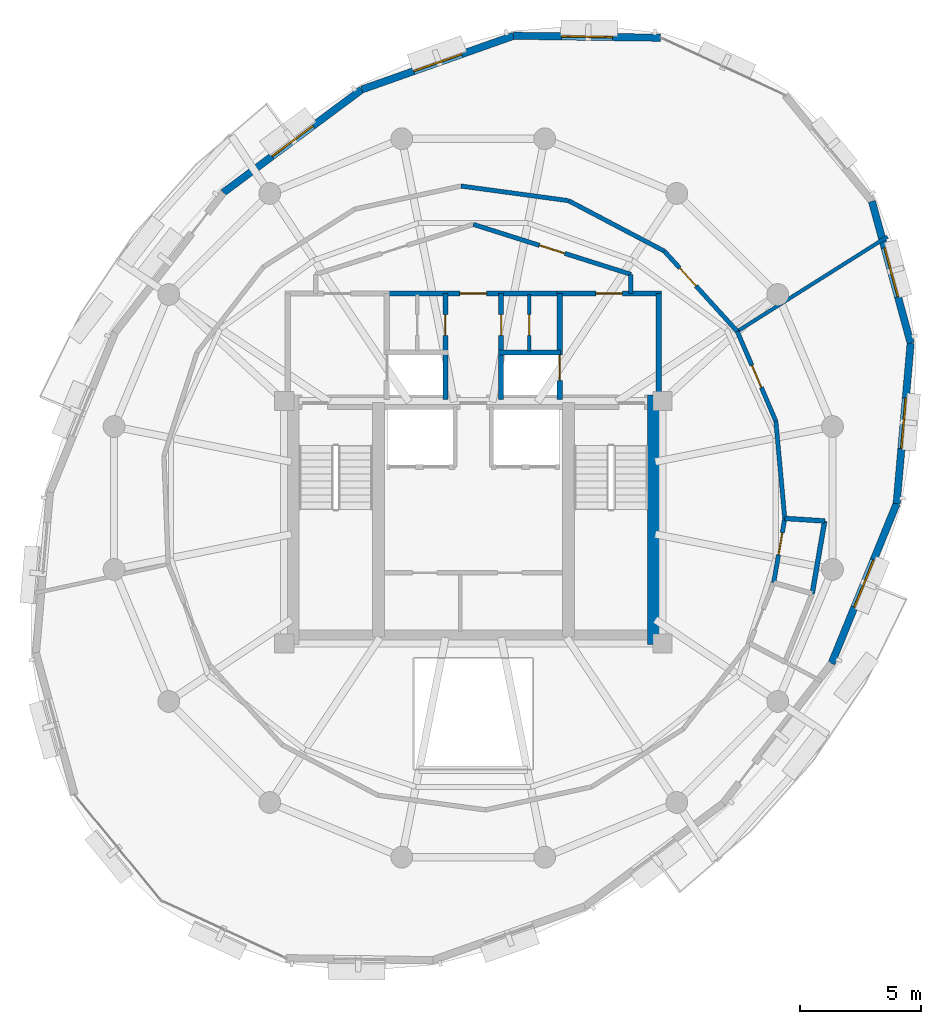
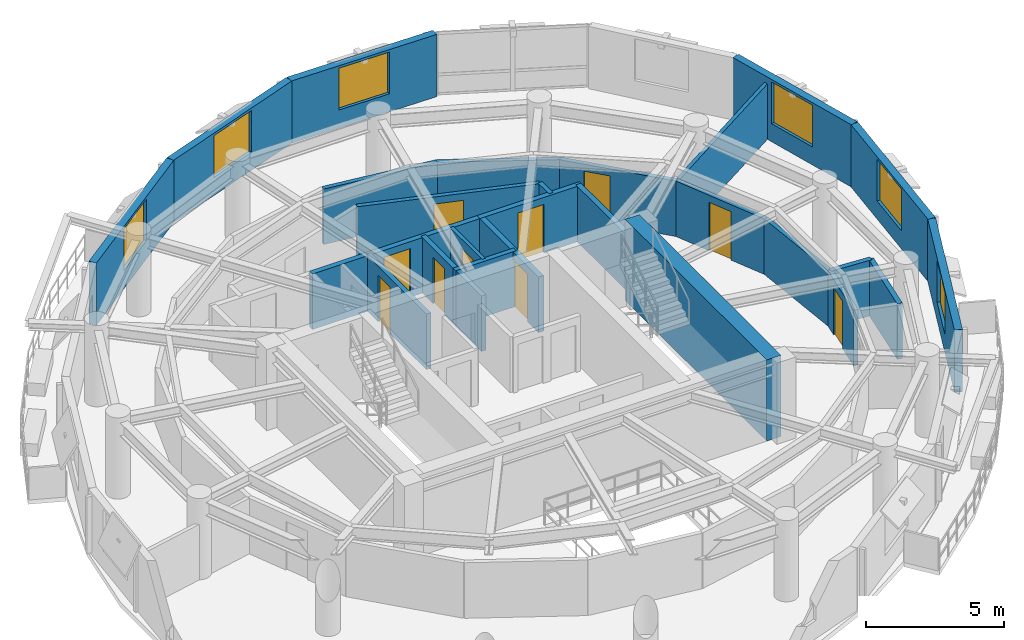
# One storey, part 8 of 11: 26 walls, 10 doors, 6 windows, 16 openings.
"""IFC4 building model written with IfcOpenShell, lengths in metres."""

from ifc_helpers import new_model, si_unit, direction, frame, frame_2d, origin, place, context, subcontext, project, spatial, rectangle, extrude, material, layer, layer_set, type_object, element, fill, save


model = new_model("IFC4")

# Units and contexts
model_context = context("Model", 3, precision=1e-05, world=origin(), true_north=direction((0.0, 1.0)))
body_context = subcontext(model_context, "Body", "Model", "MODEL_VIEW")
ifc_project = project(units=[si_unit("LENGTHUNIT", "METRE"), si_unit("AREAUNIT", "SQUARE_METRE"), si_unit("VOLUMEUNIT", "CUBIC_METRE"), si_unit("PLANEANGLEUNIT", "RADIAN"), si_unit("MASSUNIT", "GRAM", prefix="KILO"), si_unit("THERMODYNAMICTEMPERATUREUNIT", "KELVIN"), si_unit("POWERUNIT", "WATT")], contexts=[model_context])

# Site, building, storey
site_placement = place(None, origin())
site = spatial("IfcSite", under=ifc_project, at=site_placement, CompositionType="ELEMENT")
building_placement = place(site_placement, origin())
building = spatial("IfcBuilding", under=site, at=building_placement, Name="Ocrelia Relay Tower", CompositionType="ELEMENT")
storey_placement = place(building_placement, frame((0.0, 0.0, 248.39990234375)))
storey = spatial("IfcBuildingStorey", under=building, at=storey_placement, Name="L61", CompositionType="ELEMENT", Elevation=248.39990234375)

# Walls
ifc_material_1 = material(Name="Concrete C50/60", Category="concrete")
ifc_layer_1 = layer(ifc_material_1, 0.60009765625, Name="Concrete C50/60")
ifc_layer_set_1 = layer_set([ifc_layer_1], Name="Concrete C50/60")
wall_type_1 = type_object("IfcWallType", Name="CW-CORE-600B", PredefinedType="SHEAR", material=ifc_layer_set_1)
wall_1_placement = place(storey_placement, frame((41.488037109375, 19.9619140625, 0.0), z_axis=(0.0, 0.0, 1.0), x_axis=(0.0, 1.0, 0.0)))
element("IfcWall", 1, at=wall_1_placement, inside=storey, type_object=wall_type_1, Name="L61 Core Shear Wall E", PredefinedType="SHEAR", context=body_context, shape_type="SweptSolid", body=[
    extrude(rectangle(XDim=10.276123046875, YDim=0.60009765625, at=frame_2d((5.13818359375, 0.0))), origin(), (0.0, 0.0, 1.0), 3.60009765625),
])
ifc_material_2 = material(Name="Gypsum Fireboard Partition EI60", Category="gypsum")
ifc_layer_2 = layer(ifc_material_2, 0.179931640625, Name="Gypsum Fireboard Partition EI60")
ifc_layer_set_2 = layer_set([ifc_layer_2], Name="Gypsum Fireboard Partition EI60")
wall_type_2 = type_object("IfcWallType", Name="W-CORR-EI60-180", PredefinedType="PARTITIONING", material=ifc_layer_set_2)
wall_2_placement = place(storey_placement, frame((40.5, 35.218994140625, 0.0), z_axis=(0.0, 0.0, 1.0), x_axis=(0.0, -1.0, 0.0)))
element("IfcWall", 2, at=wall_2_placement, inside=storey, type_object=wall_type_2, Name="L61 Smoke Lobby East Return", PredefinedType="PARTITIONING", context=body_context, shape_type="SweptSolid", body=[
    extrude(rectangle(XDim=0.7890625, YDim=0.179931640625, at=frame_2d((0.39453125, 0.0))), origin(), (0.0, 0.0, 1.0), 2.460205078125),
])

# Wall, opening, door
wall_3_placement = place(storey_placement, frame((34.0, 37.280029296875, 0.0), z_axis=(0.0, 0.0, 1.0), x_axis=(0.953228121756, -0.302251795518, 0.0)))
wall_3 = element("IfcWall", 3, at=wall_3_placement, inside=storey, type_object=wall_type_2, Name="L61 North Smoke Lobby E Screen Wall", PredefinedType="PARTITIONING", context=body_context, shape_type="SweptSolid", body=[
    extrude(rectangle(XDim=6.81884765625, YDim=0.179931640625, at=frame_2d((3.409423828125, 0.0))), origin(), (0.0, 0.0, 1.0), 2.460205078125),
])
opening_1_placement = place(wall_3_placement, frame((2.859619140625, 0.0, 0.0)))
opening_1 = element("IfcOpeningElement", 4, at=opening_1_placement, cuts=wall_3, Name="Opening D-FD60", PredefinedType="OPENING", context=body_context, shape_type="SweptSolid", body=[
    extrude(rectangle(XDim=1.10009765625, YDim=2.14990234375, at=frame_2d((0.550048828125, 1.074951171875))), frame((0.0, 0.10009765625, 0.0), z_axis=(0.0, -1.0, 0.0), x_axis=(1.0, 0.0, 0.0)), (0.0, 0.0, 1.0), 0.199951171875),
])
ifc_material_3 = material(Name="Timber-core 60-min acoustic fire door", Category="wood")
door_type_1 = type_object("IfcDoorType", Name="DR-LOBBY-FD60-1100", OperationType="NOTDEFINED", PredefinedType="DOOR", material=ifc_material_3)
door_1_placement = place(opening_1_placement, origin())
door_1 = element("IfcDoor", 5, at=door_1_placement, inside=storey, type_object=door_type_1, Name="L61 North Smoke Lobby E Fire Door", OperationType="SINGLE_SWING_LEFT", OverallHeight=2.14990234375, OverallWidth=1.10009765625, PredefinedType="DOOR", context=body_context, shape_type="SweptSolid", body=[
    extrude(rectangle(XDim=1.10009765625, YDim=2.14990234375, at=frame_2d((0.550048828125, 1.074951171875))), frame((0.0, 0.02490234375, 0.0), z_axis=(0.0, -1.0, 0.0), x_axis=(1.0, 0.0, 0.0)), (0.0, 0.0, 1.0), 0.050048828125),
])
fill(opening_1, door_1)

wall_4_placement = place(storey_placement, frame((46.38671875, 22.506591796875, 0.0), z_axis=(0.0, 0.0, 1.0), x_axis=(0.169326487934, 0.985560013639, 0.0)))
wall_4 = element("IfcWall", 6, at=wall_4_placement, inside=storey, type_object=wall_type_2, Name="L61 Accessible Toilet Corridor Wall", PredefinedType="PARTITIONING", context=body_context, shape_type="SweptSolid", body=[
    extrude(rectangle(XDim=2.6904296875, YDim=0.179931640625, at=frame_2d((1.34521484375, 0.0))), origin(), (0.0, 0.0, 1.0), 2.460205078125),
])
opening_2_placement = place(wall_4_placement, frame((1.16748046875, 0.0, 0.0)))
opening_2 = element("IfcOpeningElement", 7, at=opening_2_placement, cuts=wall_4, Name="Opening D-WC92", PredefinedType="OPENING", context=body_context, shape_type="SweptSolid", body=[
    extrude(rectangle(XDim=0.919921875, YDim=2.10009765625, at=frame_2d((0.4599609375, 1.050048828125))), frame((0.0, 0.10009765625, 0.0), z_axis=(0.0, -1.0, 0.0), x_axis=(1.0, 0.0, 0.0)), (0.0, 0.0, 1.0), 0.199951171875),
])
ifc_material_4 = material(Name="Laminate washroom door", Category="wood")
door_type_2 = type_object("IfcDoorType", Name="DR-WC-920", OperationType="NOTDEFINED", PredefinedType="DOOR", material=ifc_material_4)
door_2_placement = place(opening_2_placement, origin())
door_2 = element("IfcDoor", 8, at=door_2_placement, inside=storey, type_object=door_type_2, Name="L61 Accessible Toilet Door", OperationType="SINGLE_SWING_LEFT", OverallHeight=2.10009765625, OverallWidth=0.919921875, PredefinedType="DOOR", context=body_context, shape_type="SweptSolid", body=[
    extrude(rectangle(XDim=0.919921875, YDim=2.10009765625, at=frame_2d((0.4599609375, 1.050048828125))), frame((0.0, 0.02490234375, 0.0), z_axis=(0.0, -1.0, 0.0), x_axis=(1.0, 0.0, 0.0)), (0.0, 0.0, 1.0), 0.050048828125),
])
fill(opening_2, door_2)

# Wall
wall_5_placement = place(storey_placement, frame((46.84228515625, 25.158203125, 0.0), z_axis=(0.0, 0.0, 1.0), x_axis=(-0.091432259976, 0.995811298307, 0.0)))
element("IfcWall", 9, at=wall_5_placement, inside=storey, type_object=wall_type_2, Name="L61 Technical Reference Library Corridor Partition 1", PredefinedType="PARTITIONING", context=body_context, shape_type="SweptSolid", body=[
    extrude(rectangle(XDim=4.026611328125, YDim=0.179931640625, at=frame_2d((2.01318359375, 0.0))), origin(), (0.0, 0.0, 1.0), 2.460205078125),
])

# Wall, opening, door
wall_6_placement = place(storey_placement, frame((46.47412109375, 29.16796875, 0.0), z_axis=(0.0, 0.0, 1.0), x_axis=(-0.394760633313, 0.91878400203, 0.0)))
wall_6 = element("IfcWall", 10, at=wall_6_placement, inside=storey, type_object=wall_type_2, Name="L61 Technical Reference Library Corridor Partition 2", PredefinedType="PARTITIONING", context=body_context, shape_type="SweptSolid", body=[
    extrude(rectangle(XDim=4.02685546875, YDim=0.179931640625, at=frame_2d((2.013427734375, 0.0))), origin(), (0.0, 0.0, 1.0), 2.460205078125),
])
opening_3_placement = place(wall_6_placement, frame((1.51318359375, 0.0, 0.0)))
opening_3 = element("IfcOpeningElement", 11, at=opening_3_placement, cuts=wall_6, Name="Opening D-RM100", PredefinedType="OPENING", context=body_context, shape_type="SweptSolid", body=[
    extrude(rectangle(XDim=1.0, YDim=2.14990234375, at=frame_2d((0.5, 1.074951171875))), frame((0.0, 0.10009765625, 0.0), z_axis=(0.0, -1.0, 0.0), x_axis=(1.0, 0.0, 0.0)), (0.0, 0.0, 1.0), 0.199951171875),
])
ifc_material_5 = material(Name="Acoustic oak veneer fire door", Category="wood")
door_type_3 = type_object("IfcDoorType", Name="DR-ROOM-FD60-1000", OperationType="NOTDEFINED", PredefinedType="DOOR", material=ifc_material_5)
door_3_placement = place(opening_3_placement, origin())
door_3 = element("IfcDoor", 12, at=door_3_placement, inside=storey, type_object=door_type_3, Name="L61 Technical Reference Library Entrance Door", OperationType="SINGLE_SWING_RIGHT", OverallHeight=2.14990234375, OverallWidth=1.0, PredefinedType="DOOR", context=body_context, shape_type="SweptSolid", body=[
    extrude(rectangle(XDim=1.0, YDim=2.14990234375, at=frame_2d((0.5, 1.074951171875))), frame((0.0, 0.02490234375, 0.0), z_axis=(0.0, -1.0, 0.0), x_axis=(1.0, 0.0, 0.0)), (0.0, 0.0, 1.0), 0.050048828125),
])
fill(opening_3, door_3)

wall_7_placement = place(storey_placement, frame((44.884521484375, 32.86767578125, 0.0), z_axis=(0.0, 0.0, 1.0), x_axis=(-0.672373687718, 0.740211877819, 0.0)))
wall_7 = element("IfcWall", 13, at=wall_7_placement, inside=storey, type_object=wall_type_2, Name="L61 Executive Club and Forum Hall Corridor Partition 1", PredefinedType="PARTITIONING", context=body_context, shape_type="SweptSolid", body=[
    extrude(rectangle(XDim=4.4697265625, YDim=0.179931640625, at=frame_2d((2.23486328125, 0.0))), origin(), (0.0, 0.0, 1.0), 2.460205078125),
])
opening_4_placement = place(wall_7_placement, frame((2.52734375, 0.0, 0.0)))
opening_4 = element("IfcOpeningElement", 14, at=opening_4_placement, cuts=wall_7, Name="Opening D-RM100", PredefinedType="OPENING", context=body_context, shape_type="SweptSolid", body=[
    extrude(rectangle(XDim=1.0, YDim=2.14990234375, at=frame_2d((0.5, 1.074951171875))), frame((0.0, 0.10009765625, 0.0), z_axis=(0.0, -1.0, 0.0), x_axis=(1.0, 0.0, 0.0)), (0.0, 0.0, 1.0), 0.199951171875),
])
door_4_placement = place(opening_4_placement, origin())
door_4 = element("IfcDoor", 15, at=door_4_placement, inside=storey, type_object=door_type_3, Name="L61 Executive Club and Forum Hall Entrance Door", OperationType="SINGLE_SWING_LEFT", OverallHeight=2.14990234375, OverallWidth=1.0, PredefinedType="DOOR", context=body_context, shape_type="SweptSolid", body=[
    extrude(rectangle(XDim=1.0, YDim=2.14990234375, at=frame_2d((0.5, 1.074951171875))), frame((0.0, 0.02490234375, 0.0), z_axis=(0.0, -1.0, 0.0), x_axis=(1.0, 0.0, 0.0)), (0.0, 0.0, 1.0), 0.050048828125),
])
fill(opening_4, door_4)

# Walls
wall_8_placement = place(storey_placement, frame((41.879150390625, 36.17626953125, 0.0), z_axis=(0.0, 0.0, 1.0), x_axis=(-0.884994042348, 0.465602346437, 0.0)))
element("IfcWall", 16, at=wall_8_placement, inside=storey, type_object=wall_type_2, Name="L61 Executive Club and Forum Hall Corridor Partition 2", PredefinedType="PARTITIONING", context=body_context, shape_type="SweptSolid", body=[
    extrude(rectangle(XDim=4.469482421875, YDim=0.179931640625, at=frame_2d((2.23486328125, 0.0))), origin(), (0.0, 0.0, 1.0), 2.460205078125),
])
wall_9_placement = place(storey_placement, frame((37.923583984375, 38.25732421875, 0.0), z_axis=(0.0, 0.0, 1.0), x_axis=(-0.990865034307, 0.134857271909, 0.0)))
element("IfcWall", 17, at=wall_9_placement, inside=storey, type_object=wall_type_2, Name="L61 Executive Club and Forum Hall Corridor Partition 3", PredefinedType="PARTITIONING", context=body_context, shape_type="SweptSolid", body=[
    extrude(rectangle(XDim=4.4697265625, YDim=0.179931640625, at=frame_2d((2.23486328125, 0.0))), origin(), (0.0, 0.0, 1.0), 2.460205078125),
])

# Wall, opening, window
ifc_material_6 = material(Name="Precast concrete C40/50 with oxide terracotta", Category="masonry")
ifc_layer_3 = layer(ifc_material_6, 0.300048828125, Name="Precast concrete C40/50 with oxide terracotta")
ifc_layer_set_3 = layer_set([ifc_layer_3], Name="Precast concrete C40/50 with oxide terracotta")
wall_type_3 = type_object("IfcWallType", Name="W-EXT-TERR-300", PredefinedType="SOLIDWALL", material=ifc_layer_set_3)
wall_10_placement = place(storey_placement, frame((41.727294921875, 44.974365234375, 0.0), z_axis=(0.0, 0.0, 1.0), x_axis=(-0.999910599604, 0.013371342453, 0.0)))
wall_10 = element("IfcWall", 18, at=wall_10_placement, inside=storey, type_object=wall_type_3, Name="L61 Oxide Terracotta Facade Wall 02", PredefinedType="SOLIDWALL", context=body_context, shape_type="SweptSolid", body=[
    extrude(rectangle(XDim=6.061767578125, YDim=0.300048828125, at=frame_2d((3.03076171875, 0.0))), origin(), (0.0, 0.0, 1.0), 2.760009765625),
])
opening_5_placement = place(wall_10_placement, frame((1.98095703125, 0.0, 0.800048828125)))
opening_5 = element("IfcOpeningElement", 19, at=opening_5_placement, cuts=wall_10, Name="Opening W-07", PredefinedType="OPENING", context=body_context, shape_type="SweptSolid", body=[
    extrude(rectangle(XDim=2.10009765625, YDim=1.85009765625, at=frame_2d((1.050048828125, 0.925048828125))), frame((0.0, 0.16015625, 0.0), z_axis=(0.0, -1.0, 0.0), x_axis=(1.0, 0.0, 0.0)), (0.0, 0.0, 1.0), 0.320068359375),
])
ifc_material_7 = material(Name="Clear double-glazed low-E glass", Category="glass")
window_type = type_object("IfcWindowType", Name="WIN-Z4-2100x2200", PartitioningType="DOUBLE_PANEL_VERTICAL", PredefinedType="WINDOW", material=ifc_material_7)
window_1_placement = place(opening_5_placement, origin())
window_1 = element("IfcWindow", 20, at=window_1_placement, inside=storey, type_object=window_type, Name="L61 Facade Module Window 02", OverallHeight=1.85009765625, OverallWidth=2.10009765625, PartitioningType="SINGLE_PANEL", PredefinedType="WINDOW", context=body_context, shape_type="SweptSolid", body=[
    extrude(rectangle(XDim=2.10009765625, YDim=1.85009765625, at=frame_2d((1.050048828125, 0.925048828125))), frame((0.0, 0.030029296875, 0.0), z_axis=(0.0, -1.0, 0.0), x_axis=(1.0, 0.0, 0.0)), (0.0, 0.0, 1.0), 0.06005859375),
])
fill(opening_5, window_1)

wall_11_placement = place(storey_placement, frame((35.666015625, 45.055419921875, 0.0), z_axis=(0.0, 0.0, 1.0), x_axis=(-0.942666251725, -0.33373692912, 0.0)))
wall_11 = element("IfcWall", 21, at=wall_11_placement, inside=storey, type_object=wall_type_3, Name="L61 Oxide Terracotta Facade Wall 03", PredefinedType="SOLIDWALL", context=body_context, shape_type="SweptSolid", body=[
    extrude(rectangle(XDim=6.64306640625, YDim=0.300048828125, at=frame_2d((3.321533203125, 0.0))), origin(), (0.0, 0.0, 1.0), 2.760009765625),
])
opening_6_placement = place(wall_11_placement, frame((2.27197265625, 0.0, 0.800048828125)))
opening_6 = element("IfcOpeningElement", 22, at=opening_6_placement, cuts=wall_11, Name="Opening W-07", PredefinedType="OPENING", context=body_context, shape_type="SweptSolid", body=[
    extrude(rectangle(XDim=2.10009765625, YDim=1.85009765625, at=frame_2d((1.050048828125, 0.925048828125))), frame((0.0, 0.16015625, 0.0), z_axis=(0.0, -1.0, 0.0), x_axis=(1.0, 0.0, 0.0)), (0.0, 0.0, 1.0), 0.320068359375),
])
window_2_placement = place(opening_6_placement, origin())
window_2 = element("IfcWindow", 23, at=window_2_placement, inside=storey, type_object=window_type, Name="L61 Facade Module Window 03", OverallHeight=1.85009765625, OverallWidth=2.10009765625, PartitioningType="SINGLE_PANEL", PredefinedType="WINDOW", context=body_context, shape_type="SweptSolid", body=[
    extrude(rectangle(XDim=2.10009765625, YDim=1.85009765625, at=frame_2d((1.050048828125, 0.925048828125))), frame((0.0, 0.030029296875, 0.0), z_axis=(0.0, -1.0, 0.0), x_axis=(1.0, 0.0, 0.0)), (0.0, 0.0, 1.0), 0.06005859375),
])
fill(opening_6, window_2)

wall_12_placement = place(storey_placement, frame((29.40380859375, 42.83837890625, 0.0), z_axis=(0.0, 0.0, 1.0), x_axis=(-0.802217934013, -0.597031311028, 0.0)))
wall_12 = element("IfcWall", 24, at=wall_12_placement, inside=storey, type_object=wall_type_3, Name="L61 Oxide Terracotta Facade Wall 04", PredefinedType="SOLIDWALL", context=body_context, shape_type="SweptSolid", body=[
    extrude(rectangle(XDim=7.115234375, YDim=0.300048828125, at=frame_2d((3.5576171875, 0.0))), origin(), (0.0, 0.0, 1.0), 2.760009765625),
])
opening_7_placement = place(wall_12_placement, frame((2.508056640625, 0.0, 0.800048828125)))
opening_7 = element("IfcOpeningElement", 25, at=opening_7_placement, cuts=wall_12, Name="Opening W-07", PredefinedType="OPENING", context=body_context, shape_type="SweptSolid", body=[
    extrude(rectangle(XDim=2.10009765625, YDim=1.85009765625, at=frame_2d((1.050048828125, 0.925048828125))), frame((0.0, 0.16015625, 0.0), z_axis=(0.0, -1.0, 0.0), x_axis=(1.0, 0.0, 0.0)), (0.0, 0.0, 1.0), 0.320068359375),
])
window_3_placement = place(opening_7_placement, origin())
window_3 = element("IfcWindow", 26, at=window_3_placement, inside=storey, type_object=window_type, Name="L61 Facade Module Window 04", OverallHeight=1.85009765625, OverallWidth=2.10009765625, PartitioningType="SINGLE_PANEL", PredefinedType="WINDOW", context=body_context, shape_type="SweptSolid", body=[
    extrude(rectangle(XDim=2.10009765625, YDim=1.85009765625, at=frame_2d((1.050048828125, 0.925048828125))), frame((0.0, 0.030029296875, 0.0), z_axis=(0.0, -1.0, 0.0), x_axis=(1.0, 0.0, 0.0)), (0.0, 0.0, 1.0), 0.06005859375),
])
fill(opening_7, window_3)

wall_13_placement = place(storey_placement, frame((48.769287109375, 19.176513671875, 0.0), z_axis=(0.0, 0.0, 1.0), x_axis=(0.377169360189, 0.926144305027, 0.0)))
wall_13 = element("IfcWall", 27, at=wall_13_placement, inside=storey, type_object=wall_type_3, Name="L61 Oxide Terracotta Facade Wall 15", PredefinedType="SOLIDWALL", context=body_context, shape_type="SweptSolid", body=[
    extrude(rectangle(XDim=7.114990234375, YDim=0.300048828125, at=frame_2d((3.5576171875, 0.0))), origin(), (0.0, 0.0, 1.0), 2.760009765625),
])
opening_8_placement = place(wall_13_placement, frame((2.508056640625, 0.0, 0.800048828125)))
opening_8 = element("IfcOpeningElement", 28, at=opening_8_placement, cuts=wall_13, Name="Opening W-07", PredefinedType="OPENING", context=body_context, shape_type="SweptSolid", body=[
    extrude(rectangle(XDim=2.10009765625, YDim=1.85009765625, at=frame_2d((1.050048828125, 0.925048828125))), frame((0.0, 0.16015625, 0.0), z_axis=(0.0, -1.0, 0.0), x_axis=(1.0, 0.0, 0.0)), (0.0, 0.0, 1.0), 0.320068359375),
])
window_4_placement = place(opening_8_placement, origin())
window_4 = element("IfcWindow", 29, at=window_4_placement, inside=storey, type_object=window_type, Name="L61 Facade Module Window 15", OverallHeight=1.85009765625, OverallWidth=2.10009765625, PartitioningType="SINGLE_PANEL", PredefinedType="WINDOW", context=body_context, shape_type="SweptSolid", body=[
    extrude(rectangle(XDim=2.10009765625, YDim=1.85009765625, at=frame_2d((1.050048828125, 0.925048828125))), frame((0.0, 0.030029296875, 0.0), z_axis=(0.0, -1.0, 0.0), x_axis=(1.0, 0.0, 0.0)), (0.0, 0.0, 1.0), 0.06005859375),
])
fill(opening_8, window_4)

wall_14_placement = place(storey_placement, frame((51.452880859375, 25.76611328125, 0.0), z_axis=(0.0, 0.0, 1.0), x_axis=(0.087099022081, 0.99619965888, 0.0)))
wall_14 = element("IfcWall", 30, at=wall_14_placement, inside=storey, type_object=wall_type_3, Name="L61 Oxide Terracotta Facade Wall 16", PredefinedType="SOLIDWALL", context=body_context, shape_type="SweptSolid", body=[
    extrude(rectangle(XDim=6.64306640625, YDim=0.300048828125, at=frame_2d((3.321533203125, 0.0))), origin(), (0.0, 0.0, 1.0), 2.760009765625),
])
opening_9_placement = place(wall_14_placement, frame((2.27197265625, 0.0, 0.800048828125)))
opening_9 = element("IfcOpeningElement", 31, at=opening_9_placement, cuts=wall_14, Name="Opening W-07", PredefinedType="OPENING", context=body_context, shape_type="SweptSolid", body=[
    extrude(rectangle(XDim=2.10009765625, YDim=1.85009765625, at=frame_2d((1.050048828125, 0.925048828125))), frame((0.0, 0.16015625, 0.0), z_axis=(0.0, -1.0, 0.0), x_axis=(1.0, 0.0, 0.0)), (0.0, 0.0, 1.0), 0.320068359375),
])
window_5_placement = place(opening_9_placement, origin())
window_5 = element("IfcWindow", 32, at=window_5_placement, inside=storey, type_object=window_type, Name="L61 Facade Module Window 16", OverallHeight=1.85009765625, OverallWidth=2.10009765625, PartitioningType="SINGLE_PANEL", PredefinedType="WINDOW", context=body_context, shape_type="SweptSolid", body=[
    extrude(rectangle(XDim=2.10009765625, YDim=1.85009765625, at=frame_2d((1.050048828125, 0.925048828125))), frame((0.0, 0.030029296875, 0.0), z_axis=(0.0, -1.0, 0.0), x_axis=(1.0, 0.0, 0.0)), (0.0, 0.0, 1.0), 0.06005859375),
])
fill(opening_9, window_5)

wall_15_placement = place(storey_placement, frame((52.031494140625, 32.384033203125, 0.0), z_axis=(0.0, 0.0, 1.0), x_axis=(-0.263318465664, 0.964708964217, 0.0)))
wall_15 = element("IfcWall", 33, at=wall_15_placement, inside=storey, type_object=wall_type_3, Name="L61 Oxide Terracotta Facade Wall 17", PredefinedType="SOLIDWALL", context=body_context, shape_type="SweptSolid", body=[
    extrude(rectangle(XDim=6.061767578125, YDim=0.300048828125, at=frame_2d((3.03076171875, 0.0))), origin(), (0.0, 0.0, 1.0), 2.760009765625),
])
opening_10_placement = place(wall_15_placement, frame((1.98095703125, 0.0, 0.800048828125)))
opening_10 = element("IfcOpeningElement", 34, at=opening_10_placement, cuts=wall_15, Name="Opening W-07", PredefinedType="OPENING", context=body_context, shape_type="SweptSolid", body=[
    extrude(rectangle(XDim=2.10009765625, YDim=1.85009765625, at=frame_2d((1.050048828125, 0.925048828125))), frame((0.0, 0.16015625, 0.0), z_axis=(0.0, -1.0, 0.0), x_axis=(1.0, 0.0, 0.0)), (0.0, 0.0, 1.0), 0.320068359375),
])
window_6_placement = place(opening_10_placement, origin())
window_6 = element("IfcWindow", 35, at=window_6_placement, inside=storey, type_object=window_type, Name="L61 Facade Module Window 17", OverallHeight=1.85009765625, OverallWidth=2.10009765625, PartitioningType="SINGLE_PANEL", PredefinedType="WINDOW", context=body_context, shape_type="SweptSolid", body=[
    extrude(rectangle(XDim=2.10009765625, YDim=1.85009765625, at=frame_2d((1.050048828125, 0.925048828125))), frame((0.0, 0.030029296875, 0.0), z_axis=(0.0, -1.0, 0.0), x_axis=(1.0, 0.0, 0.0)), (0.0, 0.0, 1.0), 0.06005859375),
])
fill(opening_10, window_6)

# Wall, opening, door
ifc_layer_4 = layer(ifc_material_1, 0.219970703125, Name="Concrete C50/60")
ifc_layer_set_4 = layer_set([ifc_layer_4], Name="Concrete C50/60")
wall_type_4 = type_object("IfcWallType", Name="W-FFL-EI120-220", PredefinedType="SOLIDWALL", material=ifc_layer_set_4)
wall_16_placement = place(storey_placement, frame((37.56005859375, 30.050048828125, 0.0), z_axis=(0.0, 0.0, 1.0), x_axis=(0.0, 1.0, 0.0)))
wall_16 = element("IfcWall", 36, at=wall_16_placement, inside=storey, type_object=wall_type_4, Name="L61 E Fire Service Lift Lobby West Wall", PredefinedType="SOLIDWALL", context=body_context, shape_type="SweptSolid", body=[
    extrude(rectangle(XDim=4.3798828125, YDim=0.219970703125, at=frame_2d((2.18994140625, 0.0))), origin(), (0.0, 0.0, 1.0), 2.460205078125),
])
opening_11_placement = place(wall_16_placement, frame((0.800048828125, 0.0, 0.0)))
opening_11 = element("IfcOpeningElement", 37, at=opening_11_placement, cuts=wall_16, Name="Opening LD-FFL2", PredefinedType="OPENING", context=body_context, shape_type="SweptSolid", body=[
    extrude(rectangle(XDim=1.050048828125, YDim=2.10009765625, at=frame_2d((0.52490234375, 1.050048828125))), frame((0.0, 0.1201171875, 0.0), z_axis=(0.0, -1.0, 0.0), x_axis=(1.0, 0.0, 0.0)), (0.0, 0.0, 1.0), 0.239990234375),
])
ifc_material_8 = material(Name="Brushed stainless steel S355 lift landing door", Category="steel")
door_type_4 = type_object("IfcDoorType", Name="DR-LIFT-LAND-1050", OperationType="DOUBLE_DOOR_SLIDING", PredefinedType="USERDEFINED", material=ifc_material_8)
door_5_placement = place(opening_11_placement, origin())
door_5 = element("IfcDoor", 38, at=door_5_placement, inside=storey, type_object=door_type_4, Name="L61 Firefighting Lift FFL2 Sliding Landing Door", ObjectType="LANDING DOOR", OperationType="DOUBLE_DOOR_SLIDING", OverallHeight=2.10009765625, OverallWidth=1.050048828125, PredefinedType="USERDEFINED", context=body_context, shape_type="SweptSolid", body=[
    extrude(rectangle(XDim=1.050048828125, YDim=2.10009765625, at=frame_2d((0.52490234375, 1.050048828125))), frame((0.0, 0.02490234375, 0.0), z_axis=(0.0, -1.0, 0.0), x_axis=(1.0, 0.0, 0.0)), (0.0, 0.0, 1.0), 0.050048828125),
])
fill(opening_11, door_5)

# Wall
wall_17_placement = place(storey_placement, frame((41.64990234375, 30.050048828125, 0.0), z_axis=(0.0, 0.0, 1.0), x_axis=(0.0, 1.0, 0.0)))
element("IfcWall", 39, at=wall_17_placement, inside=storey, type_object=wall_type_4, Name="L61 E Fire Service Lift Lobby East Wall", PredefinedType="SOLIDWALL", context=body_context, shape_type="SweptSolid", body=[
    extrude(rectangle(XDim=4.3798828125, YDim=0.219970703125, at=frame_2d((2.18994140625, 0.0))), origin(), (0.0, 0.0, 1.0), 2.460205078125),
])

# Wall, opening, door
wall_18_placement = place(storey_placement, frame((37.449951171875, 34.429931640625, 0.0), z_axis=(0.0, 0.0, 1.0), x_axis=(1.0, 0.0, 0.0)))
wall_18 = element("IfcWall", 40, at=wall_18_placement, inside=storey, type_object=wall_type_4, Name="L61 E Fire Service Lift Lobby North Wall", PredefinedType="SOLIDWALL", context=body_context, shape_type="SweptSolid", body=[
    extrude(rectangle(XDim=4.31005859375, YDim=0.219970703125, at=frame_2d((2.155029296875, 0.0))), origin(), (0.0, 0.0, 1.0), 2.460205078125),
])
opening_12_placement = place(wall_18_placement, frame((1.60009765625, 0.0, 0.0)))
opening_12 = element("IfcOpeningElement", 41, at=opening_12_placement, cuts=wall_18, Name="Opening D-FD60", PredefinedType="OPENING", context=body_context, shape_type="SweptSolid", body=[
    extrude(rectangle(XDim=1.10009765625, YDim=2.14990234375, at=frame_2d((0.550048828125, 1.074951171875))), frame((0.0, 0.1201171875, 0.0), z_axis=(0.0, -1.0, 0.0), x_axis=(1.0, 0.0, 0.0)), (0.0, 0.0, 1.0), 0.239990234375),
])
door_6_placement = place(opening_12_placement, origin())
door_6 = element("IfcDoor", 42, at=door_6_placement, inside=storey, type_object=door_type_1, Name="L61 E Fire Service Lift Lobby Exit Door", OperationType="SINGLE_SWING_LEFT", OverallHeight=2.14990234375, OverallWidth=1.10009765625, PredefinedType="DOOR", context=body_context, shape_type="SweptSolid", body=[
    extrude(rectangle(XDim=1.10009765625, YDim=2.14990234375, at=frame_2d((0.550048828125, 1.074951171875))), frame((0.0, 0.02490234375, 0.0), z_axis=(0.0, -1.0, 0.0), x_axis=(1.0, 0.0, 0.0)), (0.0, 0.0, 1.0), 0.050048828125),
])
fill(opening_12, door_6)

wall_19_placement = place(storey_placement, frame((30.43994140625, 34.429931640625, 0.0), z_axis=(0.0, 0.0, 1.0), x_axis=(1.0, 0.0, 0.0)))
wall_19 = element("IfcWall", 43, at=wall_19_placement, inside=storey, type_object=wall_type_4, Name="L61 North Core Vestibule Wall", PredefinedType="SOLIDWALL", context=body_context, shape_type="SweptSolid", body=[
    extrude(rectangle(XDim=7.1201171875, YDim=0.219970703125, at=frame_2d((3.56005859375, 0.0))), origin(), (0.0, 0.0, 1.0), 2.460205078125),
])
opening_13_placement = place(wall_19_placement, frame((3.010009765625, 0.0, 0.0)))
opening_13 = element("IfcOpeningElement", 44, at=opening_13_placement, cuts=wall_19, Name="Opening D-FD60", PredefinedType="OPENING", context=body_context, shape_type="SweptSolid", body=[
    extrude(rectangle(XDim=1.10009765625, YDim=2.14990234375, at=frame_2d((0.550048828125, 1.074951171875))), frame((0.0, 0.1201171875, 0.0), z_axis=(0.0, -1.0, 0.0), x_axis=(1.0, 0.0, 0.0)), (0.0, 0.0, 1.0), 0.239990234375),
])
door_7_placement = place(opening_13_placement, origin())
door_7 = element("IfcDoor", 45, at=door_7_placement, inside=storey, type_object=door_type_1, Name="L61 North Core Vestibule Corridor Door", OperationType="SINGLE_SWING_LEFT", OverallHeight=2.14990234375, OverallWidth=1.10009765625, PredefinedType="DOOR", context=body_context, shape_type="SweptSolid", body=[
    extrude(rectangle(XDim=1.10009765625, YDim=2.14990234375, at=frame_2d((0.550048828125, 1.074951171875))), frame((0.0, 0.02490234375, 0.0), z_axis=(0.0, -1.0, 0.0), x_axis=(1.0, 0.0, 0.0)), (0.0, 0.0, 1.0), 0.050048828125),
])
fill(opening_13, door_7)

ifc_material_9 = material(Name="Acoustic Fireboard Partition EI60", Category="gypsum")
ifc_layer_5 = layer(ifc_material_9, 0.14990234375, Name="Acoustic Fireboard Partition EI60")
ifc_layer_set_5 = layer_set([ifc_layer_5], Name="Acoustic Fireboard Partition EI60")
wall_type_5 = type_object("IfcWallType", Name="W-PART-150", PredefinedType="PARTITIONING", material=ifc_layer_set_5)
wall_20_placement = place(storey_placement, frame((36.31005859375, 32.050048828125, 0.0), z_axis=(0.0, 0.0, 1.0), x_axis=(0.0, 1.0, 0.0)))
wall_20 = element("IfcWall", 46, at=wall_20_placement, inside=storey, type_object=wall_type_5, Name="L61 East Core Support Partition", PredefinedType="PARTITIONING", context=body_context, shape_type="SweptSolid", body=[
    extrude(rectangle(XDim=2.329833984375, YDim=0.14990234375, at=frame_2d((1.1650390625, 0.0))), origin(), (0.0, 0.0, 1.0), 2.460205078125),
])
opening_14_placement = place(wall_20_placement, frame((0.64990234375, 0.0, 0.0)))
opening_14 = element("IfcOpeningElement", 47, at=opening_14_placement, cuts=wall_20, Name="Opening D-RS86", PredefinedType="OPENING", context=body_context, shape_type="SweptSolid", body=[
    extrude(rectangle(XDim=0.860107421875, YDim=2.050048828125, at=frame_2d((0.43017578125, 1.02490234375))), frame((0.0, 0.0849609375, 0.0), z_axis=(0.0, -1.0, 0.0), x_axis=(1.0, 0.0, 0.0)), (0.0, 0.0, 1.0), 0.169921875),
])
ifc_material_10 = material(Name="Steel S355 riser access fire door", Category="steel")
door_type_5 = type_object("IfcDoorType", Name="DR-RISER-TRAP-860", OperationType="NOTDEFINED", PredefinedType="TRAPDOOR", material=ifc_material_10)
door_8_placement = place(opening_14_placement, origin())
door_8 = element("IfcDoor", 48, at=door_8_placement, inside=storey, type_object=door_type_5, Name="L61 East Core Store Connecting Door", OperationType="SINGLE_SWING_LEFT", OverallHeight=2.050048828125, OverallWidth=0.860107421875, PredefinedType="TRAPDOOR", context=body_context, shape_type="SweptSolid", body=[
    extrude(rectangle(XDim=0.860107421875, YDim=2.050048828125, at=frame_2d((0.43017578125, 1.02490234375))), frame((0.0, 0.02490234375, 0.0), z_axis=(0.0, -1.0, 0.0), x_axis=(1.0, 0.0, 0.0)), (0.0, 0.0, 1.0), 0.050048828125),
])
fill(opening_14, door_8)

# Walls
wall_21_placement = place(storey_placement, frame((44.884521484375, 32.86767578125, 0.0), z_axis=(0.0, 0.0, 1.0), x_axis=(0.845732184642, 0.533607601015, 0.0)))
element("IfcWall", 49, at=wall_21_placement, inside=storey, type_object=wall_type_5, Name="L61 Technical Reference Library Radial Partition", PredefinedType="PARTITIONING", context=body_context, shape_type="SweptSolid", body=[
    extrude(rectangle(XDim=7.318115234375, YDim=0.14990234375, at=frame_2d((3.6591796875, 0.0))), origin(), (0.0, 0.0, 1.0), 2.460205078125),
])
ifc_material_11 = material(Name="Moisture-Resistant Fireboard Chase Wall EI60", Category="gypsum")
ifc_layer_6 = layer(ifc_material_11, 0.199951171875, Name="Moisture-Resistant Fireboard Chase Wall EI60")
ifc_layer_set_6 = layer_set([ifc_layer_6], Name="Moisture-Resistant Fireboard Chase Wall EI60")
wall_type_6 = type_object("IfcWallType", Name="W-PLUMB-200", PredefinedType="PLUMBINGWALL", material=ifc_layer_set_6)
wall_22_placement = place(storey_placement, frame((46.84228515625, 25.158203125, 0.0), z_axis=(0.0, 0.0, 1.0), x_axis=(0.997859798446, -0.065389774783, 0.0)))
element("IfcWall", 50, at=wall_22_placement, inside=storey, type_object=wall_type_6, Name="L61 Accessible Toilet Plumbing Radial Wall", PredefinedType="PLUMBINGWALL", context=body_context, shape_type="SweptSolid", body=[
    extrude(rectangle(XDim=1.650146484375, YDim=0.199951171875, at=frame_2d((0.8251953125, 0.0))), origin(), (0.0, 0.0, 1.0), 2.460205078125),
])
wall_23_placement = place(storey_placement, frame((47.974853515625, 22.05859375, 0.0), z_axis=(0.0, 0.0, 1.0), x_axis=(0.169379009467, 0.985550988611, 0.0)))
element("IfcWall", 51, at=wall_23_placement, inside=storey, type_object=wall_type_6, Name="L61 Accessible Toilet Back Plumbing Wall", PredefinedType="PLUMBINGWALL", context=body_context, shape_type="SweptSolid", body=[
    extrude(rectangle(XDim=3.03564453125, YDim=0.199951171875, at=frame_2d((1.517822265625, 0.0))), origin(), (0.0, 0.0, 1.0), 2.460205078125),
])

# Wall, opening, door
ifc_layer_7 = layer(ifc_material_1, 0.199951171875, Name="Concrete C50/60")
ifc_layer_set_7 = layer_set([ifc_layer_7], Name="Concrete C50/60")
wall_type_7 = type_object("IfcWallType", Name="W-SHAFT-EI120-200", PredefinedType="SOLIDWALL", material=ifc_layer_set_7)
wall_24_placement = place(storey_placement, frame((32.85009765625, 30.050048828125, 0.0), z_axis=(0.0, 0.0, 1.0), x_axis=(0.0, 1.0, 0.0)))
wall_24 = element("IfcWall", 52, at=wall_24_placement, inside=storey, type_object=wall_type_7, Name="L61 FFL1 and Service Vestibule Wall", PredefinedType="SOLIDWALL", context=body_context, shape_type="SweptSolid", body=[
    extrude(rectangle(XDim=4.3798828125, YDim=0.199951171875, at=frame_2d((2.18994140625, 0.0))), origin(), (0.0, 0.0, 1.0), 2.460205078125),
])
opening_15_placement = place(wall_24_placement, frame((2.64990234375, 0.0, 0.0)))
opening_15 = element("IfcOpeningElement", 53, at=opening_15_placement, cuts=wall_24, Name="Opening D-RS86", PredefinedType="OPENING", context=body_context, shape_type="SweptSolid", body=[
    extrude(rectangle(XDim=0.860107421875, YDim=2.050048828125, at=frame_2d((0.43017578125, 1.02490234375))), frame((0.0, 0.10986328125, 0.0), z_axis=(0.0, -1.0, 0.0), x_axis=(1.0, 0.0, 0.0)), (0.0, 0.0, 1.0), 0.219970703125),
])
door_9_placement = place(opening_15_placement, origin())
door_9 = element("IfcDoor", 54, at=door_9_placement, inside=storey, type_object=door_type_5, Name="L61 Core Support Room W Door", OperationType="SINGLE_SWING_RIGHT", OverallHeight=2.050048828125, OverallWidth=0.860107421875, PredefinedType="TRAPDOOR", context=body_context, shape_type="SweptSolid", body=[
    extrude(rectangle(XDim=0.860107421875, YDim=2.050048828125, at=frame_2d((0.43017578125, 1.02490234375))), frame((0.0, 0.02490234375, 0.0), z_axis=(0.0, -1.0, 0.0), x_axis=(1.0, 0.0, 0.0)), (0.0, 0.0, 1.0), 0.050048828125),
])
fill(opening_15, door_9)

# Wall
wall_25_placement = place(storey_placement, frame((35.050048828125, 32.0, 0.0), z_axis=(0.0, 0.0, 1.0), x_axis=(1.0, 0.0, 0.0)))
element("IfcWall", 55, at=wall_25_placement, inside=storey, type_object=wall_type_7, Name="L61 FFL2 Hoistway North Wall", PredefinedType="SOLIDWALL", context=body_context, shape_type="SweptSolid", body=[
    extrude(rectangle(XDim=2.550048828125, YDim=0.199951171875, at=frame_2d((1.27490234375, 0.0))), origin(), (0.0, 0.0, 1.0), 2.460205078125),
])

# Wall, opening, door
wall_26_placement = place(storey_placement, frame((35.14990234375, 30.050048828125, 0.0), z_axis=(0.0, 0.0, 1.0), x_axis=(0.0, 1.0, 0.0)))
wall_26 = element("IfcWall", 56, at=wall_26_placement, inside=storey, type_object=wall_type_7, Name="L61 FFL2 and Service Vestibule Wall", PredefinedType="SOLIDWALL", context=body_context, shape_type="SweptSolid", body=[
    extrude(rectangle(XDim=4.3798828125, YDim=0.199951171875, at=frame_2d((2.18994140625, 0.0))), origin(), (0.0, 0.0, 1.0), 2.460205078125),
])
opening_16_placement = place(wall_26_placement, frame((2.64990234375, 0.0, 0.0)))
opening_16 = element("IfcOpeningElement", 57, at=opening_16_placement, cuts=wall_26, Name="Opening D-RS86", PredefinedType="OPENING", context=body_context, shape_type="SweptSolid", body=[
    extrude(rectangle(XDim=0.860107421875, YDim=2.050048828125, at=frame_2d((0.43017578125, 1.02490234375))), frame((0.0, 0.10986328125, 0.0), z_axis=(0.0, -1.0, 0.0), x_axis=(1.0, 0.0, 0.0)), (0.0, 0.0, 1.0), 0.219970703125),
])
door_10_placement = place(opening_16_placement, origin())
door_10 = element("IfcDoor", 58, at=door_10_placement, inside=storey, type_object=door_type_5, Name="L61 Core Support Room E Door", OperationType="SINGLE_SWING_RIGHT", OverallHeight=2.050048828125, OverallWidth=0.860107421875, PredefinedType="TRAPDOOR", context=body_context, shape_type="SweptSolid", body=[
    extrude(rectangle(XDim=0.860107421875, YDim=2.050048828125, at=frame_2d((0.43017578125, 1.02490234375))), frame((0.0, 0.02490234375, 0.0), z_axis=(0.0, -1.0, 0.0), x_axis=(1.0, 0.0, 0.0)), (0.0, 0.0, 1.0), 0.050048828125),
])
fill(opening_16, door_10)

save(model, "model.ifc")
